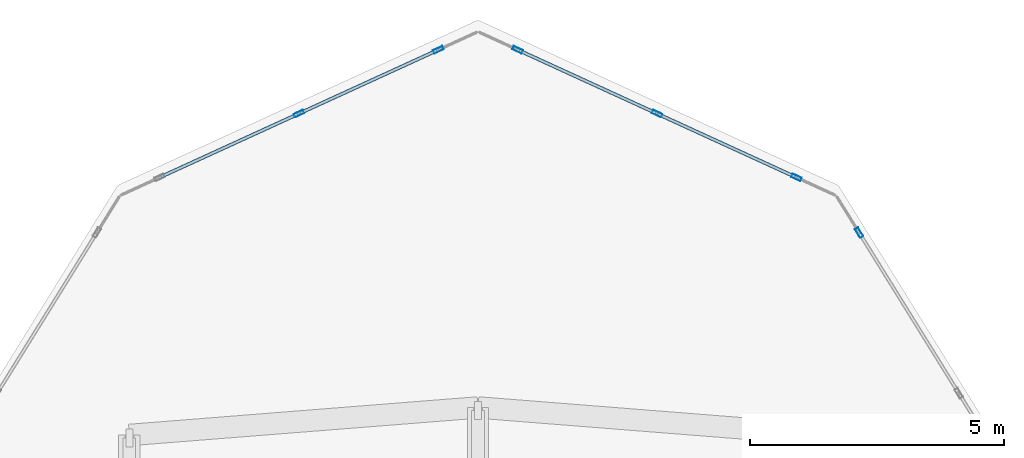
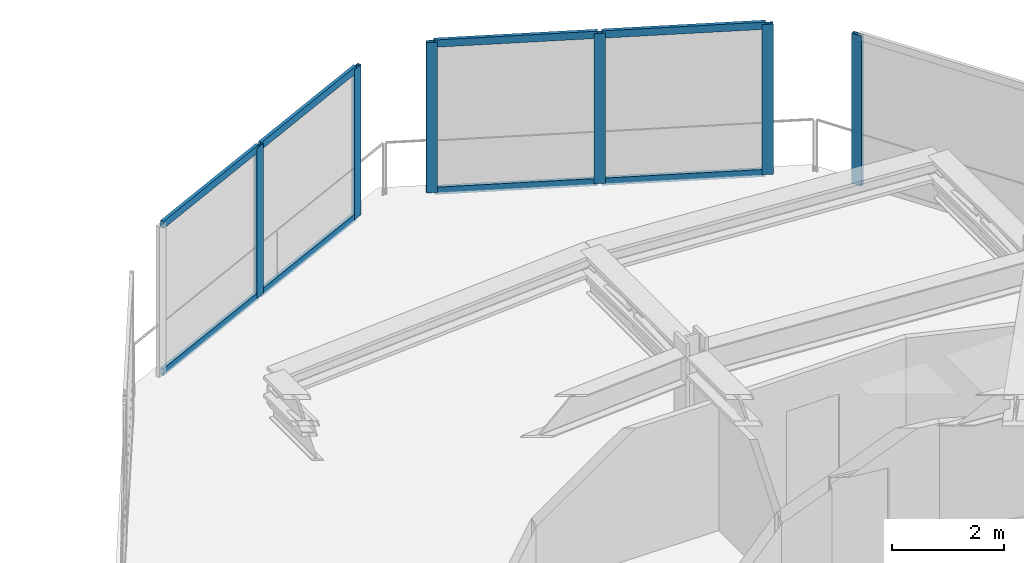
# One storey, part 15 of 25: 14 members, 3 elements without a shape of their own.
"""IFC4 building model written with IfcOpenShell, lengths in metres."""

from ifc_helpers import new_model, si_unit, direction, frame, origin, origin_2d, place, context, subcontext, project, spatial, hollow_rectangle, extrude, material, layer, layer_set, material_profile, profile_set, type_object, element, aggregate, save


model = new_model("IFC4")

# Units and contexts
model_context = context("Model", 3, precision=1e-05, world=origin(), true_north=direction((0.0, 1.0)))
body_context = subcontext(model_context, "Body", "Model", "MODEL_VIEW")
ifc_project = project(units=[si_unit("LENGTHUNIT", "METRE"), si_unit("AREAUNIT", "SQUARE_METRE"), si_unit("VOLUMEUNIT", "CUBIC_METRE"), si_unit("PLANEANGLEUNIT", "RADIAN"), si_unit("MASSUNIT", "GRAM", prefix="KILO")], contexts=[model_context])

# Site, building, storey
site_placement = place(None, origin())
site = spatial("IfcSite", under=ifc_project, at=site_placement, CompositionType="ELEMENT")
building_placement = place(site_placement, origin())
building = spatial("IfcBuilding", under=site, at=building_placement, Name="Solvane Sanctuary Tower", CompositionType="ELEMENT")
storey_placement = place(building_placement, frame((0.0, 0.0, 238.800048828125)))
storey = spatial("IfcBuildingStorey", under=building, at=storey_placement, Name="L73", CompositionType="ELEMENT", Elevation=238.800048828125)

# Curtain wall, member
ifc_material = material(Name="Anodised Aluminium 6063-T6", Category="aluminium")
ifc_layer = layer(ifc_material, 0.18994140625, Name="Anodised Aluminium 6063-T6")
ifc_layer_set = layer_set([ifc_layer], Name="Anodised Aluminium 6063-T6")
curtain_wall_type = type_object("IfcCurtainWallType", Name="Curtain Wall CW-OPER", PredefinedType="NOTDEFINED", material=ifc_layer_set)
curtain_wall_1_placement = place(storey_placement, origin())
curtain_wall_1 = element("IfcCurtainWall", 1, at=curtain_wall_1_placement, inside=storey, type_object=curtain_wall_type, Name="L73 CW-OPER Facade Run 04", PredefinedType="NOTDEFINED")
ifc_material_profile_1 = material_profile(ifc_material, hollow_rectangle(XDim=0.074951171875, YDim=0.199951171875, WallThickness=0.00390625, at=origin_2d()), Name="ALU200X75X4")
ifc_profile_set_1 = profile_set([ifc_material_profile_1], Name="Anodised Aluminium 6063-T6")
member_type_1 = type_object("IfcMemberType", Name="Member M-CW-MUL-1 ALU200X75X4", PredefinedType="MULLION", material=ifc_profile_set_1)
member_1_placement = place(storey_placement, frame((39.495361328125, 45.7177734375, 0.0), z_axis=(0.0, 0.0, 1.0), x_axis=(-0.849622273102, -0.527391688453, 0.0)))
member_1 = element("IfcMember", 2, at=member_1_placement, type_object=member_type_1, Name="CW-OPER mullion 3", PredefinedType="MULLION", context=body_context, shape_type="SweptSolid", body=[
    extrude(hollow_rectangle(XDim=0.074951171875, YDim=0.199951171875, WallThickness=0.00390625, at=origin_2d()), origin(), (0.0, 0.0, 1.0), 3.280029296875),
])
aggregate(curtain_wall_1, [member_1])

# Curtain wall, members
curtain_wall_2_placement = place(storey_placement, origin())
curtain_wall_2 = element("IfcCurtainWall", 3, at=curtain_wall_2_placement, inside=storey, type_object=curtain_wall_type, Name="L73 CW-OPER Facade Run 05", PredefinedType="NOTDEFINED")
member_2_placement = place(storey_placement, frame((38.26318359375, 46.80322265625, 0.0), z_axis=(0.0, 0.0, 1.0), x_axis=(-0.416224941032, -0.909261677661, 0.0)))
member_2 = element("IfcMember", 4, at=member_2_placement, type_object=member_type_1, Name="CW-OPER mullion 1", PredefinedType="MULLION", context=body_context, shape_type="SweptSolid", body=[
    extrude(hollow_rectangle(XDim=0.074951171875, YDim=0.199951171875, WallThickness=0.00390625, at=origin_2d()), origin(), (0.0, 0.0, 1.0), 3.280029296875),
])
member_3_placement = place(storey_placement, frame((35.521484375, 48.058349609375, 0.0), z_axis=(0.0, 0.0, 1.0), x_axis=(-0.416224941032, -0.909261677661, 0.0)))
member_3 = element("IfcMember", 5, at=member_3_placement, type_object=member_type_1, Name="CW-OPER mullion 2", PredefinedType="MULLION", context=body_context, shape_type="SweptSolid", body=[
    extrude(hollow_rectangle(XDim=0.074951171875, YDim=0.199951171875, WallThickness=0.00390625, at=origin_2d()), origin(), (0.0, 0.0, 1.0), 3.280029296875),
])
member_4_placement = place(storey_placement, frame((32.77978515625, 49.3134765625, 0.0), z_axis=(0.0, 0.0, 1.0), x_axis=(-0.416224941032, -0.909261677661, 0.0)))
member_4 = element("IfcMember", 6, at=member_4_placement, type_object=member_type_1, Name="CW-OPER mullion 3", PredefinedType="MULLION", context=body_context, shape_type="SweptSolid", body=[
    extrude(hollow_rectangle(XDim=0.074951171875, YDim=0.199951171875, WallThickness=0.00390625, at=origin_2d()), origin(), (0.0, 0.0, 1.0), 3.280029296875),
])

curtain_wall_3_placement = place(storey_placement, origin())
curtain_wall_3 = element("IfcCurtainWall", 7, at=curtain_wall_3_placement, inside=storey, type_object=curtain_wall_type, Name="L73 CW-OPER Facade Run 06", PredefinedType="NOTDEFINED")
member_5_placement = place(storey_placement, frame((31.22021484375, 49.3134765625, 0.0), z_axis=(0.0, 0.0, 1.0), x_axis=(0.416224941032, -0.909261677661, 0.0)))
member_5 = element("IfcMember", 8, at=member_5_placement, type_object=member_type_1, Name="CW-OPER mullion 1", PredefinedType="MULLION", context=body_context, shape_type="SweptSolid", body=[
    extrude(hollow_rectangle(XDim=0.074951171875, YDim=0.199951171875, WallThickness=0.00390625, at=origin_2d()), origin(), (0.0, 0.0, 1.0), 3.280029296875),
])
member_6_placement = place(storey_placement, frame((28.478515625, 48.058349609375, 0.0), z_axis=(0.0, 0.0, 1.0), x_axis=(0.416224941032, -0.909261677661, 0.0)))
member_6 = element("IfcMember", 9, at=member_6_placement, type_object=member_type_1, Name="CW-OPER mullion 2", PredefinedType="MULLION", context=body_context, shape_type="SweptSolid", body=[
    extrude(hollow_rectangle(XDim=0.074951171875, YDim=0.199951171875, WallThickness=0.00390625, at=origin_2d()), origin(), (0.0, 0.0, 1.0), 3.280029296875),
])

# Member
ifc_material_profile_2 = material_profile(ifc_material, hollow_rectangle(XDim=0.06494140625, YDim=0.159912109375, WallThickness=0.00341796875, at=origin_2d()), Name="ALU160X65X3.5")
ifc_profile_set_2 = profile_set([ifc_material_profile_2], Name="Anodised Aluminium 6063-T6")
member_type_2 = type_object("IfcMemberType", Name="Member M-CW-TRN-1 ALU160X65X3.5", PredefinedType="USERDEFINED", material=ifc_profile_set_2)
member_7_placement = place(storey_placement, frame((38.229248046875, 46.81884765625, 0.032470703125), z_axis=(-0.90925996833, 0.41622867512, 0.0), x_axis=(-0.41622867512, -0.90925996833, 0.0)))
member_7 = element("IfcMember", 10, at=member_7_placement, type_object=member_type_2, Name="CW-OPER transom 1.1", ObjectType="TRANSOM", PredefinedType="USERDEFINED", context=body_context, shape_type="SweptSolid", body=[
    extrude(hollow_rectangle(XDim=0.06494140625, YDim=0.159912109375, WallThickness=0.00341796875, at=origin_2d()), origin(), (0.0, 0.0, 1.0), 2.9404296875),
])

member_8_placement = place(storey_placement, frame((38.229248046875, 46.81884765625, 3.24755859375), z_axis=(-0.90925996833, 0.41622867512, 0.0), x_axis=(-0.41622867512, -0.90925996833, 0.0)))
member_8 = element("IfcMember", 11, at=member_8_placement, type_object=member_type_2, Name="CW-OPER transom 1.2", ObjectType="TRANSOM", PredefinedType="USERDEFINED", context=body_context, shape_type="SweptSolid", body=[
    extrude(hollow_rectangle(XDim=0.06494140625, YDim=0.159912109375, WallThickness=0.00341796875, at=origin_2d()), origin(), (0.0, 0.0, 1.0), 2.9404296875),
])

member_9_placement = place(storey_placement, frame((35.4873046875, 48.073974609375, 0.032470703125), z_axis=(-0.90925996833, 0.41622867512, 0.0), x_axis=(-0.41622867512, -0.90925996833, 0.0)))
member_9 = element("IfcMember", 12, at=member_9_placement, type_object=member_type_2, Name="CW-OPER transom 2.1", ObjectType="TRANSOM", PredefinedType="USERDEFINED", context=body_context, shape_type="SweptSolid", body=[
    extrude(hollow_rectangle(XDim=0.06494140625, YDim=0.159912109375, WallThickness=0.00341796875, at=origin_2d()), origin(), (0.0, 0.0, 1.0), 2.9404296875),
])

member_10_placement = place(storey_placement, frame((35.4873046875, 48.073974609375, 3.24755859375), z_axis=(-0.90925996833, 0.41622867512, 0.0), x_axis=(-0.41622867512, -0.90925996833, 0.0)))
member_10 = element("IfcMember", 13, at=member_10_placement, type_object=member_type_2, Name="CW-OPER transom 2.2", ObjectType="TRANSOM", PredefinedType="USERDEFINED", context=body_context, shape_type="SweptSolid", body=[
    extrude(hollow_rectangle(XDim=0.06494140625, YDim=0.159912109375, WallThickness=0.00341796875, at=origin_2d()), origin(), (0.0, 0.0, 1.0), 2.9404296875),
])

aggregate(curtain_wall_2, [member_2, member_3, member_4, member_7, member_8, member_9, member_10])

member_11_placement = place(storey_placement, frame((31.186279296875, 49.2978515625, 0.032470703125), z_axis=(-0.90925996833, -0.41622867512, 0.0), x_axis=(0.41622867512, -0.90925996833, 0.0)))
member_11 = element("IfcMember", 14, at=member_11_placement, type_object=member_type_2, Name="CW-OPER transom 1.1", ObjectType="TRANSOM", PredefinedType="USERDEFINED", context=body_context, shape_type="SweptSolid", body=[
    extrude(hollow_rectangle(XDim=0.06494140625, YDim=0.159912109375, WallThickness=0.00341796875, at=origin_2d()), origin(), (0.0, 0.0, 1.0), 2.9404296875),
])

member_12_placement = place(storey_placement, frame((31.186279296875, 49.2978515625, 3.24755859375), z_axis=(-0.90925996833, -0.41622867512, 0.0), x_axis=(0.41622867512, -0.90925996833, 0.0)))
member_12 = element("IfcMember", 15, at=member_12_placement, type_object=member_type_2, Name="CW-OPER transom 1.2", ObjectType="TRANSOM", PredefinedType="USERDEFINED", context=body_context, shape_type="SweptSolid", body=[
    extrude(hollow_rectangle(XDim=0.06494140625, YDim=0.159912109375, WallThickness=0.00341796875, at=origin_2d()), origin(), (0.0, 0.0, 1.0), 2.9404296875),
])

member_13_placement = place(storey_placement, frame((28.4443359375, 48.042724609375, 0.032470703125), z_axis=(-0.90925996833, -0.41622867512, 0.0), x_axis=(0.41622867512, -0.90925996833, 0.0)))
member_13 = element("IfcMember", 16, at=member_13_placement, type_object=member_type_2, Name="CW-OPER transom 2.1", ObjectType="TRANSOM", PredefinedType="USERDEFINED", context=body_context, shape_type="SweptSolid", body=[
    extrude(hollow_rectangle(XDim=0.06494140625, YDim=0.159912109375, WallThickness=0.00341796875, at=origin_2d()), origin(), (0.0, 0.0, 1.0), 2.9404296875),
])

member_14_placement = place(storey_placement, frame((28.4443359375, 48.042724609375, 3.24755859375), z_axis=(-0.90925996833, -0.41622867512, 0.0), x_axis=(0.41622867512, -0.90925996833, 0.0)))
member_14 = element("IfcMember", 17, at=member_14_placement, type_object=member_type_2, Name="CW-OPER transom 2.2", ObjectType="TRANSOM", PredefinedType="USERDEFINED", context=body_context, shape_type="SweptSolid", body=[
    extrude(hollow_rectangle(XDim=0.06494140625, YDim=0.159912109375, WallThickness=0.00341796875, at=origin_2d()), origin(), (0.0, 0.0, 1.0), 2.9404296875),
])

aggregate(curtain_wall_3, [member_5, member_6, member_11, member_12, member_13, member_14])

save(model, "model.ifc")
